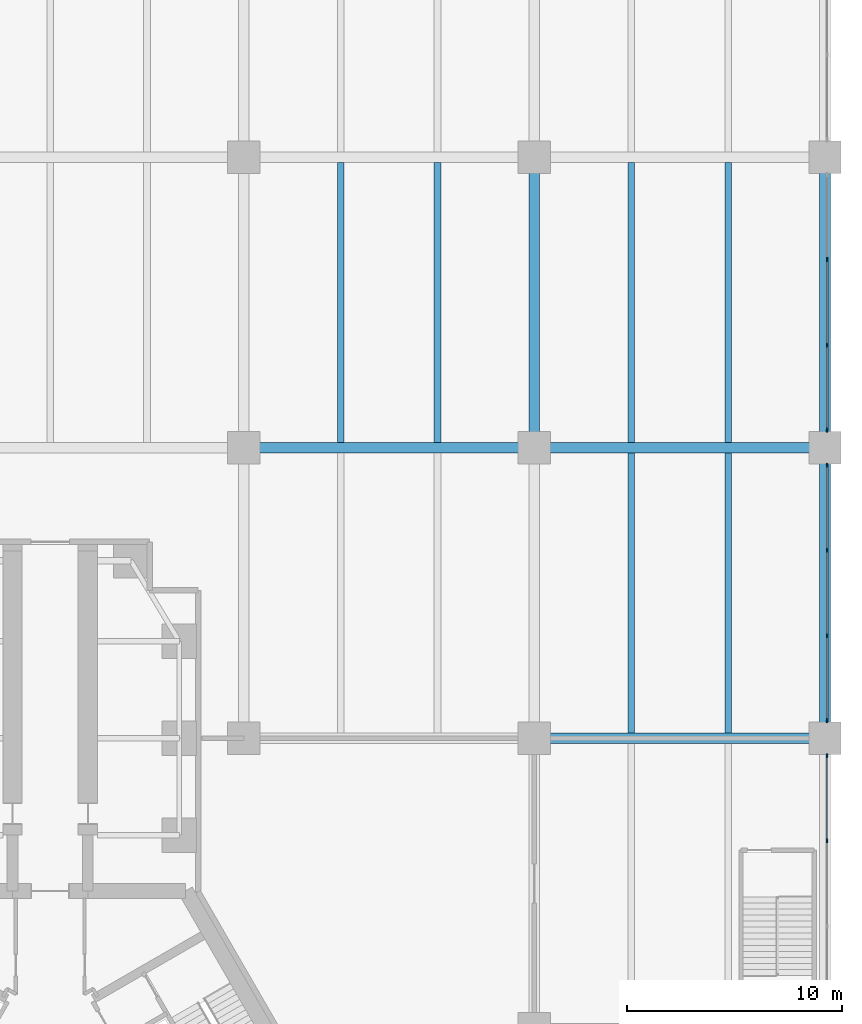
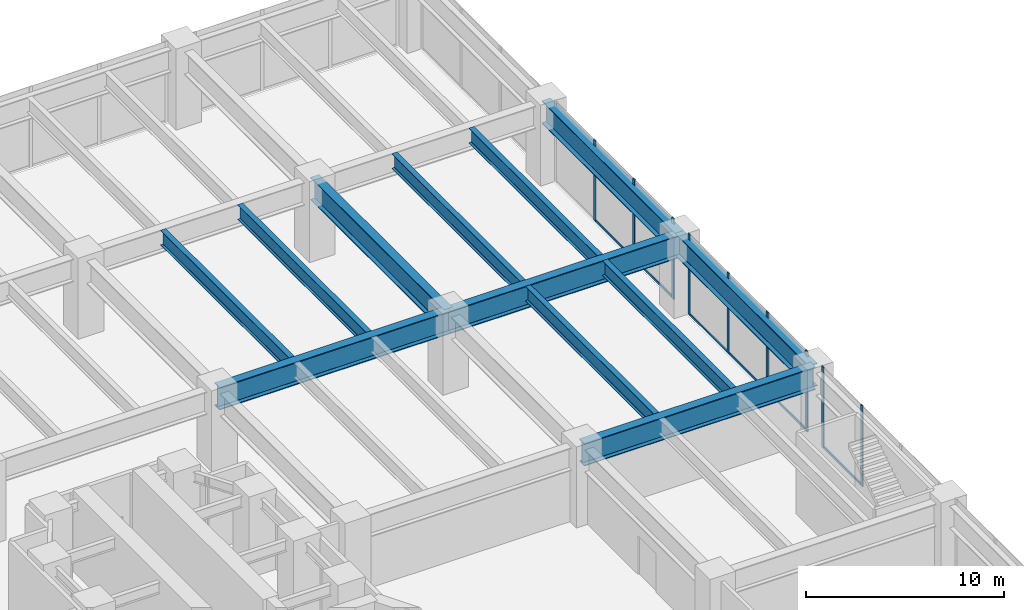
# One storey, part 12 of 32: 15 members, 12 beams, 3 elements without a shape of their own.
"""IFC4 building model written with IfcOpenShell, lengths in metres."""

from ifc_helpers import new_model, si_unit, direction, frame, origin, origin_2d, place, context, subcontext, project, spatial, rectangle, i_section, extrude, material, material_profile, profile_set, type_object, element, aggregate, save


model = new_model("IFC4")

# Units and contexts
model_context = context("Model", 3, precision=1e-05, world=origin(), true_north=direction((0.0, 1.0)))
body_context = subcontext(model_context, "Body", "Model", "MODEL_VIEW")
ifc_project = project(units=[si_unit("LENGTHUNIT", "METRE"), si_unit("AREAUNIT", "SQUARE_METRE"), si_unit("VOLUMEUNIT", "CUBIC_METRE"), si_unit("PLANEANGLEUNIT", "RADIAN"), si_unit("MASSUNIT", "GRAM", prefix="KILO")], contexts=[model_context])

# Site, building, storey
site_placement = place(None, origin())
site = spatial("IfcSite", under=ifc_project, at=site_placement, CompositionType="ELEMENT")
building_placement = place(site_placement, origin())
building = spatial("IfcBuilding", under=site, at=building_placement, Name="Upepo Twin Towers", CompositionType="ELEMENT")
storey_placement = place(building_placement, frame((0.0, 0.0, 5.5)))
storey = spatial("IfcBuildingStorey", under=building, at=storey_placement, Name="L01", CompositionType="ELEMENT", Elevation=5.5)

# Beams
ifc_material_1 = material(Name="Steel S355", Category="steel")
ifc_material_profile_1 = material_profile(ifc_material_1, i_section(OverallWidth=0.5, OverallDepth=1.39990234375, WebThickness=0.02490234375, FlangeThickness=0.050048828125, FilletRadius=0.008056640625, at=origin_2d()), Name="PG 1400x500x25x50")
ifc_profile_set_1 = profile_set([ifc_material_profile_1], Name="Steel S355")
beam_type_1 = type_object("IfcBeamType", Name="Beam PG 1400x500x25x50", PredefinedType="BEAM", material=ifc_profile_set_1)
for number, where, z_axis, x_axis, name in (
    (1, (81.0, 0.0, 3.949951171875), (1.0, 0.0, 0.0), (0.0, 1.0, 0.0), "Podium girder D/9-10"),
    (2, (67.5, 13.5, 3.949951171875), (1.0, 0.0, 0.0), (0.0, 1.0, 0.0), "Podium girder E/8-9"),
    (3, (81.0, 13.5, 3.949951171875), (1.0, 0.0, 0.0), (0.0, 1.0, 0.0), "Podium girder E/9-10"),
    (4, (81.0, 13.5, 3.949951171875), (0.0, 1.0, 0.0), (-1.0, 0.0, 0.0), "Podium girder 9/E-F"),
    (5, (94.5, 0.0, 3.949951171875), (0.0, 1.0, 0.0), (-1.0, 0.0, 0.0), "Podium girder 10/D-E"),
    (6, (94.5, 13.5, 3.949951171875), (0.0, 1.0, 0.0), (-1.0, 0.0, 0.0), "Podium girder 10/E-F"),
):
    element("IfcBeam", number, at=place(storey_placement, frame(where, z_axis=z_axis, x_axis=x_axis)), inside=storey, type_object=beam_type_1, Name=name, PredefinedType="BEAM", context=body_context, shape_type="SweptSolid", body=[
        extrude(i_section(OverallWidth=0.5, OverallDepth=1.39990234375, WebThickness=0.02490234375, FlangeThickness=0.050048828125, FilletRadius=0.008056640625, at=origin_2d()), origin(), (0.0, 0.0, 1.0), 13.5),
    ])

# Curtain wall, members
ifc_material_2 = material(Name="Aluminium and clear glass", Category="aluminium")
curtain_wall_type = type_object("IfcCurtainWallType", Name="Podium curtain wall PW1", PredefinedType="NOTDEFINED", material=ifc_material_2)
curtain_wall_1_placement = place(storey_placement, origin())
curtain_wall_1 = element("IfcCurtainWall", 7, at=curtain_wall_1_placement, inside=storey, type_object=curtain_wall_type, Name="Podium L01 curtain wall E3", PredefinedType="NOTDEFINED")
ifc_material_3 = material(Name="Aluminium mullion", Category="aluminium")
ifc_material_profile_2 = material_profile(ifc_material_3, rectangle(XDim=0.06494140625, YDim=0.199951171875, at=origin_2d()), Name="MULLION 65x200 PODIUM")
ifc_profile_set_2 = profile_set([ifc_material_profile_2], Name="Aluminium mullion")
member_type_1 = type_object("IfcMemberType", Name="Mullion 65x200 PW1", PredefinedType="MULLION", material=ifc_profile_set_2)
member_1_placement = place(storey_placement, frame((94.60009765625, -4.76171875, 0.0), z_axis=(0.0, 0.0, 1.0), x_axis=(-1.0, 0.0, 0.0)))
member_1 = element("IfcMember", 8, at=member_1_placement, type_object=member_type_1, Name="Podium L01 curtain wall E3 mullion 3", PredefinedType="MULLION", context=body_context, shape_type="SweptSolid", body=[
    extrude(rectangle(XDim=0.06494140625, YDim=0.199951171875, at=origin_2d()), origin(), (0.0, 0.0, 1.0), 5.0),
])
member_2_placement = place(storey_placement, frame((94.60009765625, -0.8173828125, 0.0), z_axis=(0.0, 0.0, 1.0), x_axis=(-1.0, 0.0, 0.0)))
member_2 = element("IfcMember", 9, at=member_2_placement, type_object=member_type_1, Name="Podium L01 curtain wall E3 mullion 4", PredefinedType="MULLION", context=body_context, shape_type="SweptSolid", body=[
    extrude(rectangle(XDim=0.06494140625, YDim=0.199951171875, at=origin_2d()), origin(), (0.0, 0.0, 1.0), 5.0),
])

curtain_wall_2_placement = place(storey_placement, origin())
curtain_wall_2 = element("IfcCurtainWall", 10, at=curtain_wall_2_placement, inside=storey, type_object=curtain_wall_type, Name="Podium L01 curtain wall E4", PredefinedType="NOTDEFINED")
member_3_placement = place(storey_placement, frame((94.60009765625, 0.8173828125, 0.0), z_axis=(0.0, 0.0, 1.0), x_axis=(-1.0, 0.0, 0.0)))
member_3 = element("IfcMember", 11, at=member_3_placement, type_object=member_type_1, Name="Podium L01 curtain wall E4 mullion 1", PredefinedType="MULLION", context=body_context, shape_type="SweptSolid", body=[
    extrude(rectangle(XDim=0.06494140625, YDim=0.199951171875, at=origin_2d()), origin(), (0.0, 0.0, 1.0), 5.0),
])
member_4_placement = place(storey_placement, frame((94.60009765625, 4.76171875, 0.0), z_axis=(0.0, 0.0, 1.0), x_axis=(-1.0, 0.0, 0.0)))
member_4 = element("IfcMember", 12, at=member_4_placement, type_object=member_type_1, Name="Podium L01 curtain wall E4 mullion 2", PredefinedType="MULLION", context=body_context, shape_type="SweptSolid", body=[
    extrude(rectangle(XDim=0.06494140625, YDim=0.199951171875, at=origin_2d()), origin(), (0.0, 0.0, 1.0), 5.0),
])
member_5_placement = place(storey_placement, frame((94.60009765625, 8.73828125, 0.0), z_axis=(0.0, 0.0, 1.0), x_axis=(-1.0, 0.0, 0.0)))
member_5 = element("IfcMember", 13, at=member_5_placement, type_object=member_type_1, Name="Podium L01 curtain wall E4 mullion 3", PredefinedType="MULLION", context=body_context, shape_type="SweptSolid", body=[
    extrude(rectangle(XDim=0.06494140625, YDim=0.199951171875, at=origin_2d()), origin(), (0.0, 0.0, 1.0), 5.0),
])
member_6_placement = place(storey_placement, frame((94.60009765625, 12.6826171875, 0.0), z_axis=(0.0, 0.0, 1.0), x_axis=(-1.0, 0.0, 0.0)))
member_6 = element("IfcMember", 14, at=member_6_placement, type_object=member_type_1, Name="Podium L01 curtain wall E4 mullion 4", PredefinedType="MULLION", context=body_context, shape_type="SweptSolid", body=[
    extrude(rectangle(XDim=0.06494140625, YDim=0.199951171875, at=origin_2d()), origin(), (0.0, 0.0, 1.0), 5.0),
])

curtain_wall_3_placement = place(storey_placement, origin())
curtain_wall_3 = element("IfcCurtainWall", 15, at=curtain_wall_3_placement, inside=storey, type_object=curtain_wall_type, Name="Podium L01 curtain wall E5", PredefinedType="NOTDEFINED")
member_7_placement = place(storey_placement, frame((94.60009765625, 14.3173828125, 0.0), z_axis=(0.0, 0.0, 1.0), x_axis=(-1.0, 0.0, 0.0)))
member_7 = element("IfcMember", 16, at=member_7_placement, type_object=member_type_1, Name="Podium L01 curtain wall E5 mullion 1", PredefinedType="MULLION", context=body_context, shape_type="SweptSolid", body=[
    extrude(rectangle(XDim=0.06494140625, YDim=0.199951171875, at=origin_2d()), origin(), (0.0, 0.0, 1.0), 5.0),
])
member_8_placement = place(storey_placement, frame((94.60009765625, 18.26171875, 0.0), z_axis=(0.0, 0.0, 1.0), x_axis=(-1.0, 0.0, 0.0)))
member_8 = element("IfcMember", 17, at=member_8_placement, type_object=member_type_1, Name="Podium L01 curtain wall E5 mullion 2", PredefinedType="MULLION", context=body_context, shape_type="SweptSolid", body=[
    extrude(rectangle(XDim=0.06494140625, YDim=0.199951171875, at=origin_2d()), origin(), (0.0, 0.0, 1.0), 5.0),
])
member_9_placement = place(storey_placement, frame((94.60009765625, 22.23828125, 0.0), z_axis=(0.0, 0.0, 1.0), x_axis=(-1.0, 0.0, 0.0)))
member_9 = element("IfcMember", 18, at=member_9_placement, type_object=member_type_1, Name="Podium L01 curtain wall E5 mullion 3", PredefinedType="MULLION", context=body_context, shape_type="SweptSolid", body=[
    extrude(rectangle(XDim=0.06494140625, YDim=0.199951171875, at=origin_2d()), origin(), (0.0, 0.0, 1.0), 5.0),
])

# Beams
ifc_material_4 = material(Name="Steel S355", Category="steel")
ifc_material_profile_3 = material_profile(ifc_material_4, i_section(OverallWidth=0.305419921875, OverallDepth=0.91845703125, WebThickness=0.017333984375, FlangeThickness=0.02783203125, FilletRadius=0.01904296875, at=origin_2d()), Name="UB 914x305x253")
ifc_profile_set_3 = profile_set([ifc_material_profile_3], Name="Steel S355")
beam_type_2 = type_object("IfcBeamType", Name="Secondary beam UB 914x305x253", PredefinedType="JOIST", material=ifc_profile_set_3)
for number, where, z_axis, x_axis, name in (
    (19, (72.0, 13.75, 4.19091796875), (0.0, 1.0, 0.0), (-1.0, 0.0, 0.0), "Podium secondary beam E8.1"),
    (20, (76.5, 13.75, 4.19091796875), (0.0, 1.0, 0.0), (-1.0, 0.0, 0.0), "Podium secondary beam E8.2"),
    (21, (85.5, 0.25, 4.19091796875), (0.0, 1.0, 0.0), (-1.0, 0.0, 0.0), "Podium secondary beam D9.1"),
    (22, (90.0, 0.25, 4.19091796875), (0.0, 1.0, 0.0), (-1.0, 0.0, 0.0), "Podium secondary beam D9.2"),
    (23, (85.5, 13.75, 4.19091796875), (0.0, 1.0, 0.0), (-1.0, 0.0, 0.0), "Podium secondary beam E9.1"),
    (24, (90.0, 13.75, 4.19091796875), (0.0, 1.0, 0.0), (-1.0, 0.0, 0.0), "Podium secondary beam E9.2"),
):
    element("IfcBeam", number, at=place(storey_placement, frame(where, z_axis=z_axis, x_axis=x_axis)), inside=storey, type_object=beam_type_2, Name=name, PredefinedType="JOIST", context=body_context, shape_type="SweptSolid", body=[
        extrude(i_section(OverallWidth=0.305419921875, OverallDepth=0.91845703125, WebThickness=0.017333984375, FlangeThickness=0.02783203125, FilletRadius=0.01904296875, at=origin_2d()), origin(), (0.0, 0.0, 1.0), 13.0),
    ])

# Member
ifc_material_5 = material(Name="Aluminium transom", Category="aluminium")
ifc_material_profile_4 = material_profile(ifc_material_5, rectangle(XDim=0.06494140625, YDim=0.14990234375, at=origin_2d()), Name="TRANSOM 65x150 PODIUM")
ifc_profile_set_4 = profile_set([ifc_material_profile_4], Name="Aluminium transom")
member_type_2 = type_object("IfcMemberType", Name="Transom 65x150 PW1", PredefinedType="USERDEFINED", material=ifc_profile_set_4)
member_10_placement = place(storey_placement, frame((94.60009765625, -4.729248046875, 0.074951171875), z_axis=(0.0, 1.0, 0.0), x_axis=(-1.0, 0.0, 0.0)))
member_10 = element("IfcMember", 25, at=member_10_placement, type_object=member_type_2, Name="Podium L01 curtain wall E3 transom 3", ObjectType="TRANSOM", PredefinedType="USERDEFINED", context=body_context, shape_type="SweptSolid", body=[
    extrude(rectangle(XDim=0.06494140625, YDim=0.14990234375, at=origin_2d()), origin(), (0.0, 0.0, 1.0), 3.879150390625),
])

aggregate(curtain_wall_1, [member_1, member_2, member_10])

member_11_placement = place(storey_placement, frame((94.60009765625, 0.85009765625, 0.074951171875), z_axis=(0.0, 1.0, 0.0), x_axis=(-1.0, 0.0, 0.0)))
member_11 = element("IfcMember", 26, at=member_11_placement, type_object=member_type_2, Name="Podium L01 curtain wall E4 transom 1", ObjectType="TRANSOM", PredefinedType="USERDEFINED", context=body_context, shape_type="SweptSolid", body=[
    extrude(rectangle(XDim=0.06494140625, YDim=0.14990234375, at=origin_2d()), origin(), (0.0, 0.0, 1.0), 3.879150390625),
])

member_12_placement = place(storey_placement, frame((94.60009765625, 4.794189453125, 0.074951171875), z_axis=(0.0, 1.0, 0.0), x_axis=(-1.0, 0.0, 0.0)))
member_12 = element("IfcMember", 27, at=member_12_placement, type_object=member_type_2, Name="Podium L01 curtain wall E4 transom 2", ObjectType="TRANSOM", PredefinedType="USERDEFINED", context=body_context, shape_type="SweptSolid", body=[
    extrude(rectangle(XDim=0.06494140625, YDim=0.14990234375, at=origin_2d()), origin(), (0.0, 0.0, 1.0), 3.91162109375),
])

member_13_placement = place(storey_placement, frame((94.60009765625, 8.770751953125, 0.074951171875), z_axis=(0.0, 1.0, 0.0), x_axis=(-1.0, 0.0, 0.0)))
member_13 = element("IfcMember", 28, at=member_13_placement, type_object=member_type_2, Name="Podium L01 curtain wall E4 transom 3", ObjectType="TRANSOM", PredefinedType="USERDEFINED", context=body_context, shape_type="SweptSolid", body=[
    extrude(rectangle(XDim=0.06494140625, YDim=0.14990234375, at=origin_2d()), origin(), (0.0, 0.0, 1.0), 3.879150390625),
])

aggregate(curtain_wall_2, [member_3, member_4, member_5, member_6, member_11, member_12, member_13])

member_14_placement = place(storey_placement, frame((94.60009765625, 14.35009765625, 0.074951171875), z_axis=(0.0, 1.0, 0.0), x_axis=(-1.0, 0.0, 0.0)))
member_14 = element("IfcMember", 29, at=member_14_placement, type_object=member_type_2, Name="Podium L01 curtain wall E5 transom 1", ObjectType="TRANSOM", PredefinedType="USERDEFINED", context=body_context, shape_type="SweptSolid", body=[
    extrude(rectangle(XDim=0.06494140625, YDim=0.14990234375, at=origin_2d()), origin(), (0.0, 0.0, 1.0), 3.879150390625),
])

member_15_placement = place(storey_placement, frame((94.60009765625, 18.294189453125, 0.074951171875), z_axis=(0.0, 1.0, 0.0), x_axis=(-1.0, 0.0, 0.0)))
member_15 = element("IfcMember", 30, at=member_15_placement, type_object=member_type_2, Name="Podium L01 curtain wall E5 transom 2", ObjectType="TRANSOM", PredefinedType="USERDEFINED", context=body_context, shape_type="SweptSolid", body=[
    extrude(rectangle(XDim=0.06494140625, YDim=0.14990234375, at=origin_2d()), origin(), (0.0, 0.0, 1.0), 3.91162109375),
])

aggregate(curtain_wall_3, [member_7, member_8, member_9, member_14, member_15])

save(model, "model.ifc")
